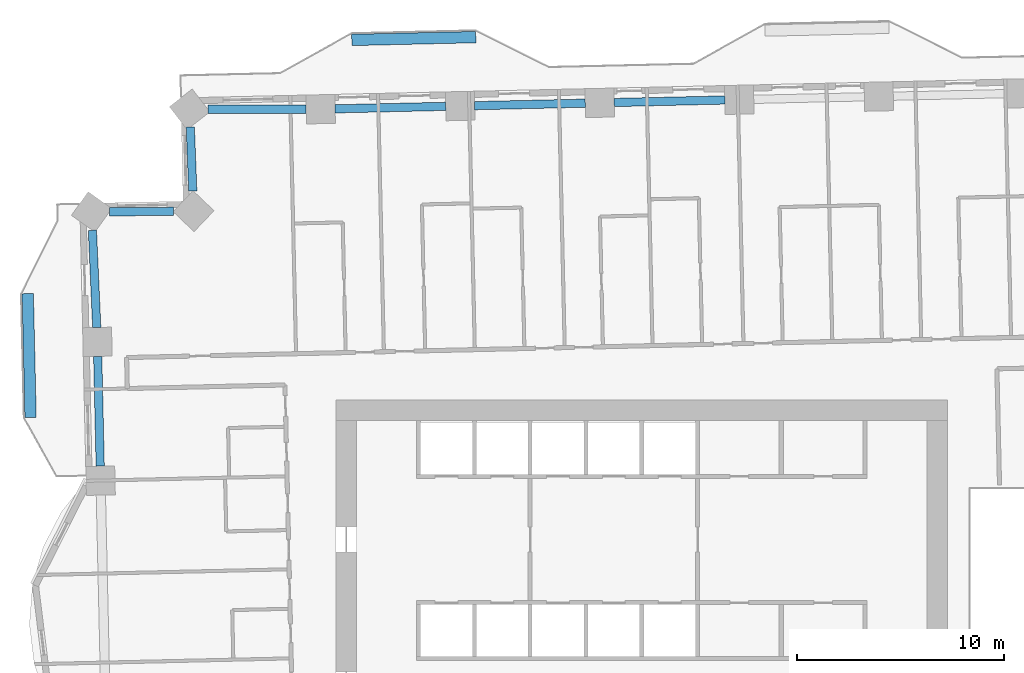
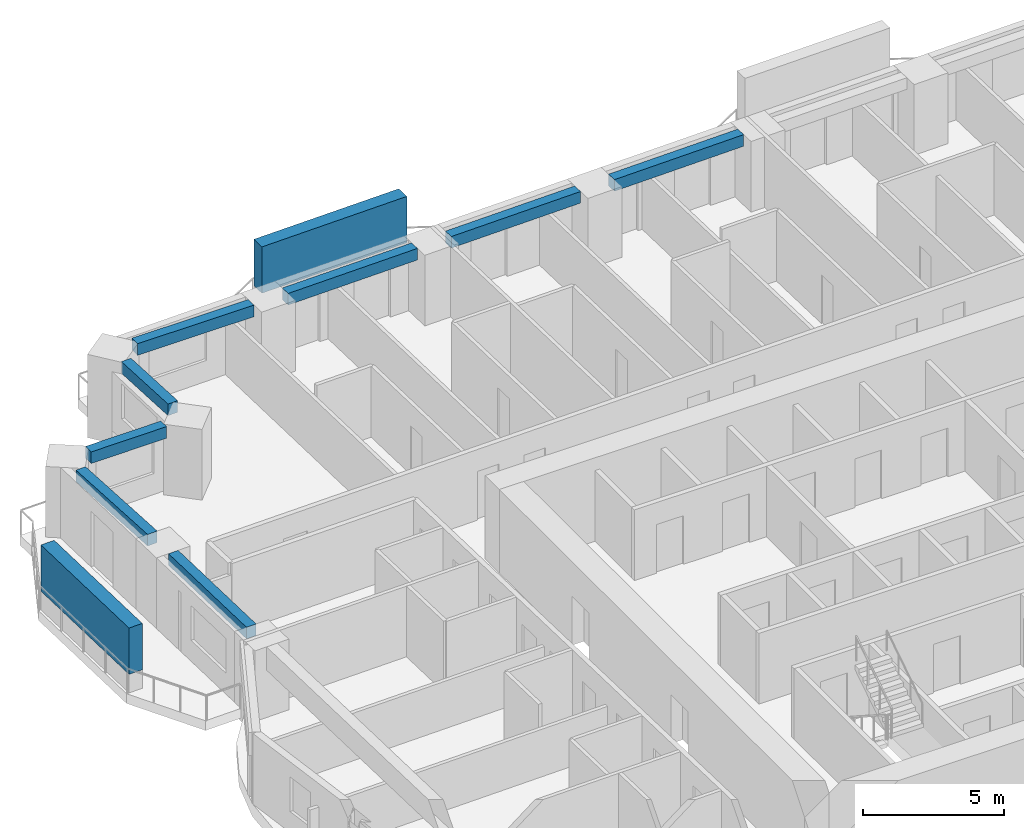
# One storey, part 3 of 17: 8 beams, 2 members.
"""IFC4 building model written with IfcOpenShell, lengths in metres."""

from ifc_helpers import new_model, si_unit, direction, frame, origin, origin_2d, place, context, subcontext, project, spatial, rectangle, extrude, material, material_profile, profile_set, type_object, element, save


model = new_model("IFC4")

# Units and contexts
model_context = context("Model", 3, precision=1e-05, world=origin(), true_north=direction((0.0, 1.0)))
body_context = subcontext(model_context, "Body", "Model", "MODEL_VIEW")
ifc_project = project(units=[si_unit("LENGTHUNIT", "METRE"), si_unit("AREAUNIT", "SQUARE_METRE"), si_unit("VOLUMEUNIT", "CUBIC_METRE"), si_unit("PLANEANGLEUNIT", "RADIAN"), si_unit("MASSUNIT", "GRAM", prefix="KILO")], contexts=[model_context])

# Site, building, storey
site_placement = place(None, origin())
site = spatial("IfcSite", under=ifc_project, at=site_placement, CompositionType="ELEMENT")
building_placement = place(site_placement, origin())
building = spatial("IfcBuilding", under=site, at=building_placement, Name="Mangrove Gate Tower", CompositionType="ELEMENT")
storey_placement = place(building_placement, frame((0.0, 0.0, 90.10009765625)))
storey = spatial("IfcBuildingStorey", under=building, at=storey_placement, Name="L22", CompositionType="ELEMENT", Elevation=90.10009765625)

# Members
ifc_material_1 = material(Name="Planting on aluminium trellis", Category="aluminium")
ifc_material_profile_1 = material_profile(ifc_material_1, rectangle(XDim=0.550048828125, YDim=2.0, at=origin_2d()))
ifc_profile_set_1 = profile_set([ifc_material_profile_1], Name="Planting on aluminium trellis")
member_type = type_object("IfcMemberType", Name="Balcony greenery screen 550x2000", PredefinedType="USERDEFINED", material=ifc_profile_set_1)
member_1_placement = place(storey_placement, frame((-14.030029296875, 29.217041015625, 1.7998046875), z_axis=(0.999739477659, 0.022824916448, 0.0), x_axis=(-0.022824916448, 0.999739477659, 0.0)))
element("IfcMember", 1, at=member_1_placement, inside=storey, type_object=member_type, Name="GREEN SCREEN L22 N1.1", ObjectType="PLANTING", PredefinedType="USERDEFINED", context=body_context, shape_type="SweptSolid", body=[
    extrude(rectangle(XDim=0.550048828125, YDim=2.0, at=origin_2d()), origin(), (0.0, 0.0, 1.0), 6.00048828125),
])
member_2_placement = place(storey_placement, frame((-29.570068359375, 10.945068359375, 1.7998046875), z_axis=(-0.022665943652, 0.999743094499, 0.0), x_axis=(-0.999743094499, -0.022665943652, 0.0)))
element("IfcMember", 2, at=member_2_placement, inside=storey, type_object=member_type, Name="GREEN SCREEN L22 W0.1", ObjectType="PLANTING", PredefinedType="USERDEFINED", context=body_context, shape_type="SweptSolid", body=[
    extrude(rectangle(XDim=0.550048828125, YDim=2.0, at=origin_2d()), origin(), (0.0, 0.0, 1.0), 5.99951171875),
])

# Beams
ifc_material_2 = material(Name="Concrete C50/60", Category="concrete")
ifc_material_profile_2 = material_profile(ifc_material_2, rectangle(XDim=0.39990234375, YDim=0.5, at=origin_2d()))
ifc_profile_set_2 = profile_set([ifc_material_profile_2], Name="Concrete C50/60")
beam_type = type_object("IfcBeamType", Name="Edge beam RC 400x500 C50/60", PredefinedType="BEAM", material=ifc_profile_set_2)
beam_1_placement = place(storey_placement, frame((4.01806640625, 26.311279296875, 2.7998046875), z_axis=(-0.999743128778, -0.022664431647, 0.0), x_axis=(0.022664431647, -0.999743128778, 0.0)))
element("IfcBeam", 3, at=beam_1_placement, inside=storey, type_object=beam_type, Name="Edge beam L22 23", PredefinedType="BEAM", context=body_context, shape_type="SweptSolid", body=[
    extrude(rectangle(XDim=0.39990234375, YDim=0.5, at=origin_2d()), origin(), (0.0, 0.0, 1.0), 5.353759765625),
])
beam_2_placement = place(storey_placement, frame((-2.73388671875, 26.158203125, 2.7998046875), z_axis=(-0.999739924711, -0.022805326993, 0.0), x_axis=(0.022805326993, -0.999739924711, 0.0)))
element("IfcBeam", 4, at=beam_2_placement, inside=storey, type_object=beam_type, Name="Edge beam L22 24", PredefinedType="BEAM", context=body_context, shape_type="SweptSolid", body=[
    extrude(rectangle(XDim=0.39990234375, YDim=0.5, at=origin_2d()), origin(), (0.0, 0.0, 1.0), 5.352783203125),
])
beam_3_placement = place(storey_placement, frame((-9.48486328125, 26.00439453125, 2.7998046875), z_axis=(-0.999743152201, -0.022663398406, 0.0), x_axis=(0.022663398406, -0.999743152201, 0.0)))
element("IfcBeam", 5, at=beam_3_placement, inside=storey, type_object=beam_type, Name="Edge beam L22 25", PredefinedType="BEAM", context=body_context, shape_type="SweptSolid", body=[
    extrude(rectangle(XDim=0.39990234375, YDim=0.5, at=origin_2d()), origin(), (0.0, 0.0, 1.0), 5.35400390625),
])
beam_4_placement = place(storey_placement, frame((-16.2373046875, 25.866455078125, 2.7998046875), z_axis=(-0.999999523555, -0.000976160653, 0.0), x_axis=(0.000976160653, -0.999999523555, 0.0)))
element("IfcBeam", 6, at=beam_4_placement, inside=storey, type_object=beam_type, Name="Edge beam L22 26", PredefinedType="BEAM", context=body_context, shape_type="SweptSolid", body=[
    extrude(rectangle(XDim=0.39990234375, YDim=0.5, at=origin_2d()), origin(), (0.0, 0.0, 1.0), 4.751953125),
])
beam_5_placement = place(storey_placement, frame((-21.841552734375, 25.000732421875, 2.7998046875), z_axis=(0.038460362943, -0.999260126535, 0.0), x_axis=(0.999260126535, 0.038460362943, 0.0)))
element("IfcBeam", 7, at=beam_5_placement, inside=storey, type_object=beam_type, Name="Edge beam L22 27", PredefinedType="BEAM", context=body_context, shape_type="SweptSolid", body=[
    extrude(rectangle(XDim=0.39990234375, YDim=0.5, at=origin_2d()), origin(), (0.0, 0.0, 1.0), 3.09765625),
])
beam_6_placement = place(storey_placement, frame((-22.65966796875, 20.924560546875, 2.7998046875), z_axis=(-0.999975368239, -0.007018754556, 0.0), x_axis=(0.007018754556, -0.999975368239, 0.0)))
element("IfcBeam", 8, at=beam_6_placement, inside=storey, type_object=beam_type, Name="Edge beam L22 28", PredefinedType="BEAM", context=body_context, shape_type="SweptSolid", body=[
    extrude(rectangle(XDim=0.39990234375, YDim=0.5, at=origin_2d()), origin(), (0.0, 0.0, 1.0), 3.095703125),
])
beam_7_placement = place(storey_placement, frame((-26.57861328125, 20.010009765625, 2.7998046875), z_axis=(0.044645566694, -0.999002889573, 0.0), x_axis=(0.999002889573, 0.044645566694, 0.0)))
element("IfcBeam", 9, at=beam_7_placement, inside=storey, type_object=beam_type, Name="Edge beam L22 29", PredefinedType="BEAM", context=body_context, shape_type="SweptSolid", body=[
    extrude(rectangle(XDim=0.39990234375, YDim=0.5, at=origin_2d()), origin(), (0.0, 0.0, 1.0), 4.708251953125),
])
beam_8_placement = place(storey_placement, frame((-26.3212890625, 13.906982421875, 2.7998046875), z_axis=(0.022659804799, -0.999743233659, 0.0), x_axis=(0.999743233659, 0.022659804799, 0.0)))
element("IfcBeam", 10, at=beam_8_placement, inside=storey, type_object=beam_type, Name="Edge beam L22 30", PredefinedType="BEAM", context=body_context, shape_type="SweptSolid", body=[
    extrude(rectangle(XDim=0.39990234375, YDim=0.5, at=origin_2d()), origin(), (0.0, 0.0, 1.0), 5.311767578125),
])

save(model, "model.ifc")
